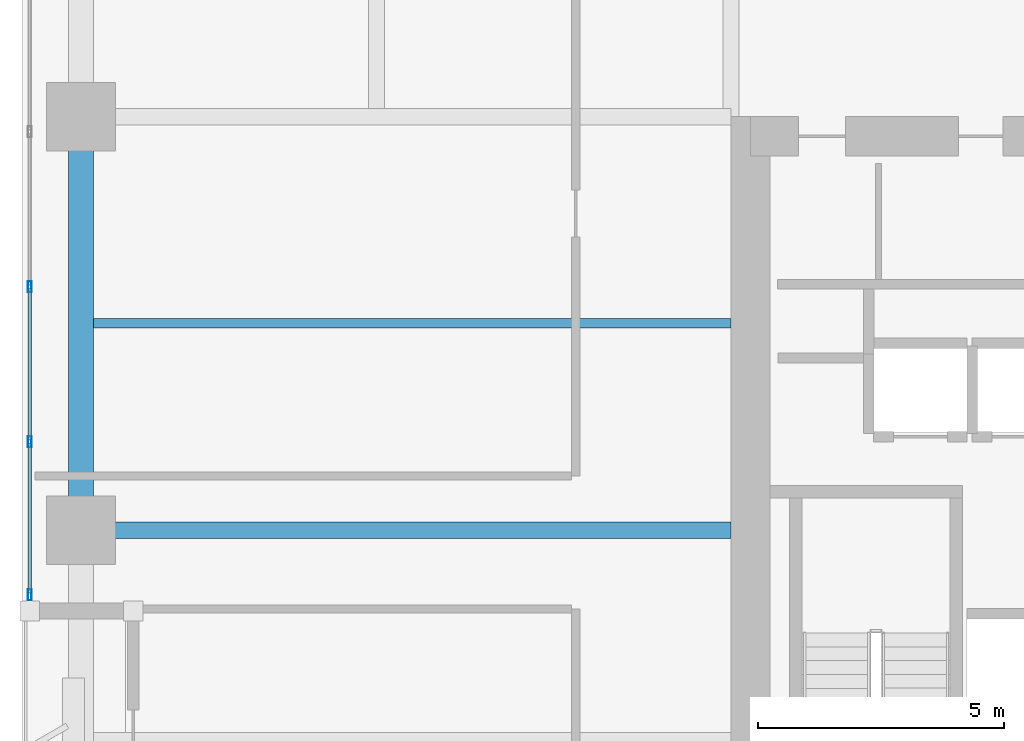
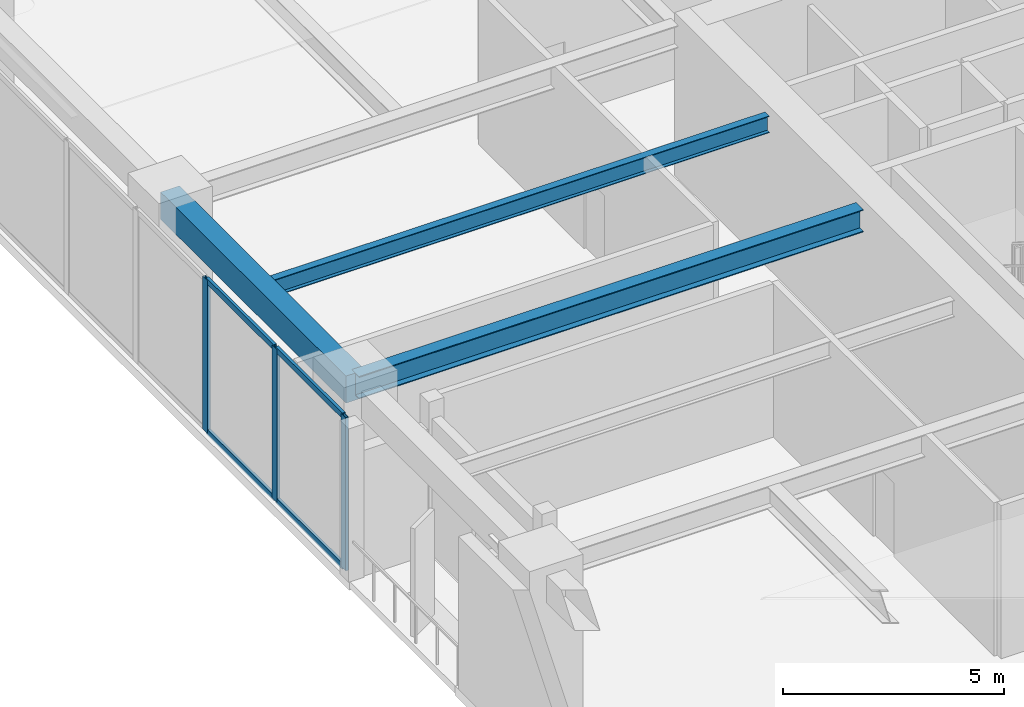
# One storey, part 2 of 23: 7 members, 3 beams, 1 element without a shape of its own.
"""IFC4 building model written with IfcOpenShell, lengths in metres."""

from ifc_helpers import new_model, si_unit, direction, frame, origin, origin_2d, place, context, subcontext, project, spatial, rectangle, hollow_rectangle, i_section, extrude, material, layer, layer_set, material_profile, profile_set, type_object, element, aggregate, save


model = new_model("IFC4")

# Units and contexts
model_context = context("Model", 3, precision=1e-05, world=origin(), true_north=direction((0.0, 1.0)))
body_context = subcontext(model_context, "Body", "Model", "MODEL_VIEW")
ifc_project = project(units=[si_unit("LENGTHUNIT", "METRE"), si_unit("AREAUNIT", "SQUARE_METRE"), si_unit("VOLUMEUNIT", "CUBIC_METRE"), si_unit("PLANEANGLEUNIT", "RADIAN"), si_unit("MASSUNIT", "GRAM", prefix="KILO")], contexts=[model_context])

# Site, building, storey
site_placement = place(None, origin())
site = spatial("IfcSite", under=ifc_project, at=site_placement, CompositionType="ELEMENT")
building_placement = place(site_placement, origin())
building = spatial("IfcBuilding", under=site, at=building_placement, Name="Kiyonajd Concourse Tower", CompositionType="ELEMENT")
storey_placement = place(building_placement, frame((0.0, 0.0, 120.89990234375)))
storey = spatial("IfcBuildingStorey", under=building, at=storey_placement, Name="L31", CompositionType="ELEMENT", Elevation=120.89990234375)

# Beams
ifc_material_1 = material(Name="Steel ASTM A992 Grade 50", Category="steel")
ifc_material_profile_1 = material_profile(ifc_material_1, i_section(OverallWidth=0.19189453125, OverallDepth=0.462890625, WebThickness=0.010498046875, FlangeThickness=0.017578125, at=origin_2d()), Name="W460X89")
ifc_profile_set_1 = profile_set([ifc_material_profile_1], Name="Steel ASTM A992 Grade 50")
beam_type_1 = type_object("IfcBeamType", Name="BM-JST-460B", PredefinedType="JOIST", material=ifc_profile_set_1)
beam_1_placement = place(storey_placement, frame((19.449951171875, 40.199951171875, 4.008544921875), z_axis=(1.0, 0.0, 0.0), x_axis=(0.0, 1.0, 0.0)))
element("IfcBeam", 1, at=beam_1_placement, inside=storey, type_object=beam_type_1, Name="L31 West Secondary Floor Joist", PredefinedType="JOIST", context=body_context, shape_type="SweptSolid", body=[
    extrude(i_section(OverallWidth=0.19189453125, OverallDepth=0.462890625, WebThickness=0.010498046875, FlangeThickness=0.017578125, at=origin_2d()), origin(), (0.0, 0.0, 1.0), 12.949951171875),
])
ifc_material_2 = material(Name="Precast concrete C50/60", Category="concrete")
ifc_material_profile_2 = material_profile(ifc_material_2, rectangle(XDim=0.5, YDim=0.75, at=origin_2d()), Name="RCBM-500x750")
ifc_profile_set_2 = profile_set([ifc_material_profile_2], Name="Precast concrete C50/60")
beam_type_2 = type_object("IfcBeamType", Name="BM-SPAN-RC", PredefinedType="SPANDREL", material=ifc_profile_set_2)
beam_2_placement = place(storey_placement, frame((19.199951171875, 44.39990234375, 3.864990234375), z_axis=(0.0, -1.0, 0.0), x_axis=(1.0, 0.0, 0.0)))
element("IfcBeam", 2, at=beam_2_placement, inside=storey, type_object=beam_type_2, Name="L31 Perimeter Bundled Tube Spandrel", PredefinedType="SPANDREL", context=body_context, shape_type="SweptSolid", body=[
    extrude(rectangle(XDim=0.5, YDim=0.75, at=origin_2d()), origin(), (0.0, 0.0, 1.0), 8.39990234375),
])
ifc_material_profile_3 = material_profile(ifc_material_1, i_section(OverallWidth=0.326904296875, OverallDepth=0.6220703125, WebThickness=0.015380859375, FlangeThickness=0.0244140625, at=origin_2d()), Name="W610X195")
ifc_profile_set_3 = profile_set([ifc_material_profile_3], Name="Steel ASTM A992 Grade 50")
beam_type_3 = type_object("IfcBeamType", Name="BM-TWR-610A", PredefinedType="BEAM", material=ifc_profile_set_3)
beam_3_placement = place(storey_placement, frame((19.199951171875, 36.0, 3.92919921875), z_axis=(1.0, 0.0, 0.0), x_axis=(0.0, 1.0, 0.0)))
element("IfcBeam", 3, at=beam_3_placement, inside=storey, type_object=beam_type_3, Name="L31 West Lease Girder", PredefinedType="BEAM", context=body_context, shape_type="SweptSolid", body=[
    extrude(i_section(OverallWidth=0.326904296875, OverallDepth=0.6220703125, WebThickness=0.015380859375, FlangeThickness=0.0244140625, at=origin_2d()), origin(), (0.0, 0.0, 1.0), 13.199951171875),
])

# Curtain wall, members
ifc_material_3 = material(Name="Thermally Broken Anodised Aluminium", Category="aluminium")
ifc_layer = layer(ifc_material_3, 0.179931640625)
ifc_layer_set = layer_set([ifc_layer], Name="Thermally Broken Anodised Aluminium")
curtain_wall_type = type_object("IfcCurtainWallType", Name="CW-SYS-05", PredefinedType="NOTDEFINED", material=ifc_layer_set)
curtain_wall_placement = place(storey_placement, origin())
curtain_wall = element("IfcCurtainWall", 4, at=curtain_wall_placement, inside=storey, type_object=curtain_wall_type, Name="L31 Unitised Curtain Wall CW5", PredefinedType="NOTDEFINED")
ifc_material_profile_4 = material_profile(ifc_material_3, hollow_rectangle(XDim=0.074951171875, YDim=0.219970703125, WallThickness=0.0048828125, at=origin_2d()), Name="MULL-75x220")
ifc_profile_set_4 = profile_set([ifc_material_profile_4], Name="Thermally Broken Anodised Aluminium")
member_type_1 = type_object("IfcMemberType", Name="MB-CW-MULL2", PredefinedType="MULLION", material=ifc_profile_set_4)
member_1_placement = place(storey_placement, frame((18.159912109375, 34.6875, 0.0), z_axis=(0.0, 0.0, 1.0), x_axis=(-1.0, 0.0, 0.0)))
member_1 = element("IfcMember", 5, at=member_1_placement, type_object=member_type_1, Name="CW5 mullion 1", PredefinedType="MULLION", context=body_context, shape_type="SweptSolid", body=[
    extrude(hollow_rectangle(XDim=0.074951171875, YDim=0.219970703125, WallThickness=0.0048828125, at=origin_2d()), origin(), (0.0, 0.0, 1.0), 4.239990234375),
])
member_2_placement = place(storey_placement, frame((18.159912109375, 37.79833984375, 0.0), z_axis=(0.0, 0.0, 1.0), x_axis=(-1.0, 0.0, 0.0)))
member_2 = element("IfcMember", 6, at=member_2_placement, type_object=member_type_1, Name="CW5 mullion 2", PredefinedType="MULLION", context=body_context, shape_type="SweptSolid", body=[
    extrude(hollow_rectangle(XDim=0.074951171875, YDim=0.219970703125, WallThickness=0.0048828125, at=origin_2d()), origin(), (0.0, 0.0, 1.0), 4.239990234375),
])
member_3_placement = place(storey_placement, frame((18.159912109375, 40.94677734375, 0.0), z_axis=(0.0, 0.0, 1.0), x_axis=(-1.0, 0.0, 0.0)))
member_3 = element("IfcMember", 7, at=member_3_placement, type_object=member_type_1, Name="CW5 mullion 3", PredefinedType="MULLION", context=body_context, shape_type="SweptSolid", body=[
    extrude(hollow_rectangle(XDim=0.074951171875, YDim=0.219970703125, WallThickness=0.0048828125, at=origin_2d()), origin(), (0.0, 0.0, 1.0), 4.239990234375),
])
ifc_material_profile_5 = material_profile(ifc_material_3, hollow_rectangle(XDim=0.074951171875, YDim=0.159912109375, WallThickness=0.0048828125, at=origin_2d()), Name="TRAN-75x160")
ifc_profile_set_5 = profile_set([ifc_material_profile_5], Name="Thermally Broken Anodised Aluminium")
member_type_2 = type_object("IfcMemberType", Name="MB-CW-TRAN2", PredefinedType="USERDEFINED", material=ifc_profile_set_5)
member_4_placement = place(storey_placement, frame((18.159912109375, 34.72509765625, 0.03759765625), z_axis=(0.0, 1.0, 0.0), x_axis=(-1.0, 0.0, 0.0)))
member_4 = element("IfcMember", 8, at=member_4_placement, type_object=member_type_2, Name="CW5 transom 1.1", ObjectType="TRANSOM", PredefinedType="USERDEFINED", context=body_context, shape_type="SweptSolid", body=[
    extrude(hollow_rectangle(XDim=0.074951171875, YDim=0.159912109375, WallThickness=0.0048828125, at=origin_2d()), origin(), (0.0, 0.0, 1.0), 3.035888671875),
])
member_5_placement = place(storey_placement, frame((18.159912109375, 34.72509765625, 4.20263671875), z_axis=(0.0, 1.0, 0.0), x_axis=(-1.0, 0.0, 0.0)))
member_5 = element("IfcMember", 9, at=member_5_placement, type_object=member_type_2, Name="CW5 transom 1.2", ObjectType="TRANSOM", PredefinedType="USERDEFINED", context=body_context, shape_type="SweptSolid", body=[
    extrude(hollow_rectangle(XDim=0.074951171875, YDim=0.159912109375, WallThickness=0.0048828125, at=origin_2d()), origin(), (0.0, 0.0, 1.0), 3.035888671875),
])
member_6_placement = place(storey_placement, frame((18.159912109375, 37.8359375, 0.03759765625), z_axis=(0.0, 1.0, 0.0), x_axis=(-1.0, 0.0, 0.0)))
member_6 = element("IfcMember", 10, at=member_6_placement, type_object=member_type_2, Name="CW5 transom 2.1", ObjectType="TRANSOM", PredefinedType="USERDEFINED", context=body_context, shape_type="SweptSolid", body=[
    extrude(hollow_rectangle(XDim=0.074951171875, YDim=0.159912109375, WallThickness=0.0048828125, at=origin_2d()), origin(), (0.0, 0.0, 1.0), 3.073486328125),
])
member_7_placement = place(storey_placement, frame((18.159912109375, 37.8359375, 4.20263671875), z_axis=(0.0, 1.0, 0.0), x_axis=(-1.0, 0.0, 0.0)))
member_7 = element("IfcMember", 11, at=member_7_placement, type_object=member_type_2, Name="CW5 transom 2.2", ObjectType="TRANSOM", PredefinedType="USERDEFINED", context=body_context, shape_type="SweptSolid", body=[
    extrude(hollow_rectangle(XDim=0.074951171875, YDim=0.159912109375, WallThickness=0.0048828125, at=origin_2d()), origin(), (0.0, 0.0, 1.0), 3.073486328125),
])
aggregate(curtain_wall, [member_1, member_2, member_3, member_4, member_5, member_6, member_7])

save(model, "model.ifc")
